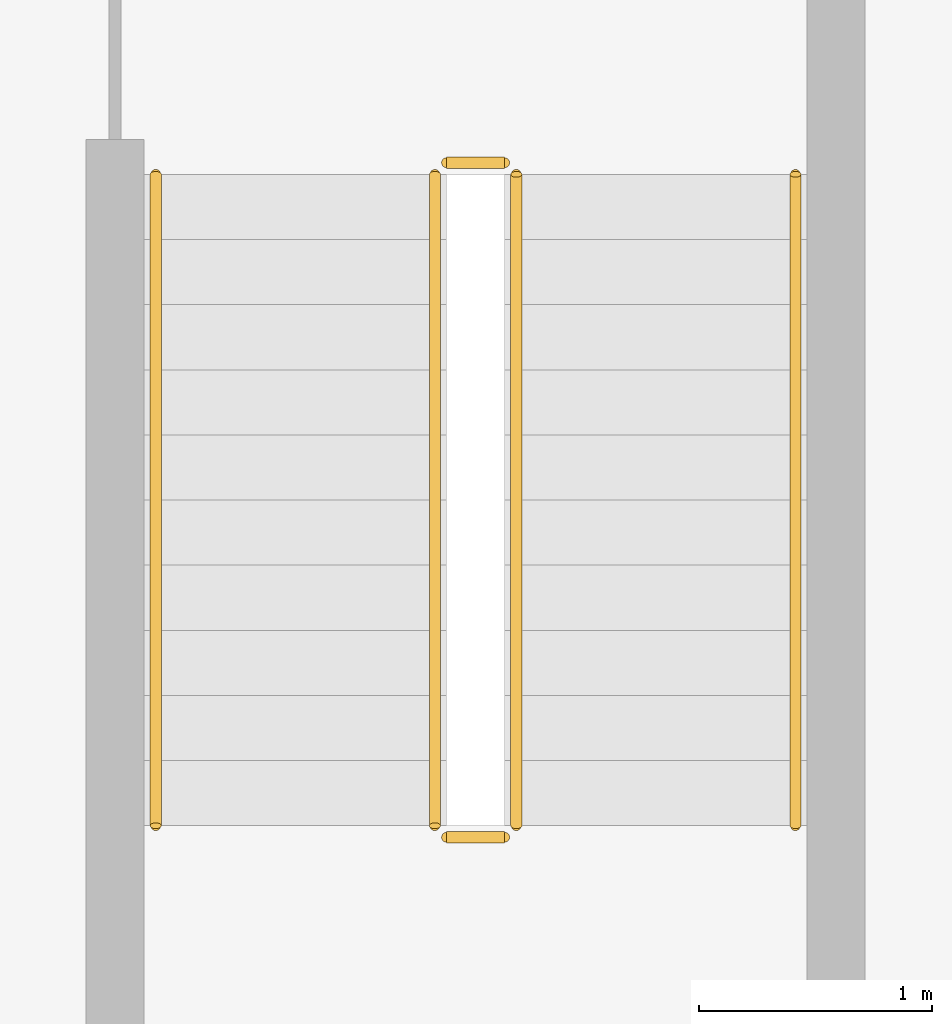
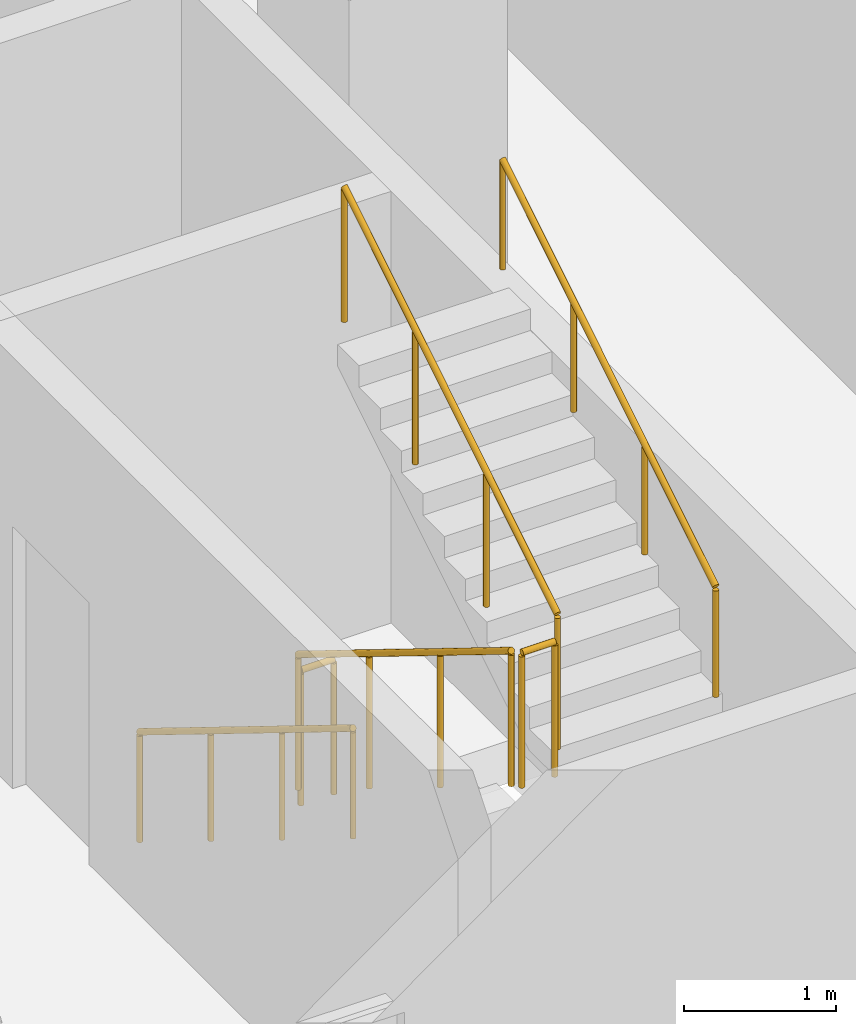
# One storey, part 23 of 27: 6 railings.
"""IFC4 building model written with IfcOpenShell, lengths in metres."""

from ifc_helpers import new_model, si_unit, direction, frame, origin, origin_2d, place, context, subcontext, project, spatial, circle, extrude, material, type_object, element, save


model = new_model("IFC4")

# Units and contexts
model_context = context("Model", 3, precision=1e-05, world=origin(), true_north=direction((0.0, 1.0)))
body_context = subcontext(model_context, "Body", "Model", "MODEL_VIEW")
ifc_project = project(units=[si_unit("LENGTHUNIT", "METRE"), si_unit("AREAUNIT", "SQUARE_METRE"), si_unit("VOLUMEUNIT", "CUBIC_METRE"), si_unit("PLANEANGLEUNIT", "RADIAN"), si_unit("MASSUNIT", "GRAM", prefix="KILO")], contexts=[model_context])

# Site, building, storey
site_placement = place(None, origin())
site = spatial("IfcSite", under=ifc_project, at=site_placement, CompositionType="ELEMENT")
building_placement = place(site_placement, origin())
building = spatial("IfcBuilding", under=site, at=building_placement, Name="Mahtab Terrace Research Tower", CompositionType="ELEMENT")
storey_placement = place(building_placement, frame((0.0, 0.0, 163.0)))
storey = spatial("IfcBuildingStorey", under=building, at=storey_placement, Name="L38", CompositionType="ELEMENT", Elevation=163.0)

# Railings
ifc_material = material(Name="Stainless steel AISI 304", Category="steel")
railing_type_1 = type_object("IfcRailingType", Name="Stair guard 1100", PredefinedType="GUARDRAIL", material=ifc_material)
railing_1_placement = place(storey_placement, frame((2.949951171875, -4.175048828125, 0.172607421875)))
element("IfcRailing", 1, at=railing_1_placement, inside=storey, type_object=railing_type_1, Name="L38 ST2 stair guard 1", PredefinedType="GUARDRAIL", context=body_context, shape_type="SweptSolid", body=[
    extrude(circle(Radius=0.02392578125, at=origin_2d()), frame((0.0, 0.0, 1.076171875), z_axis=(0.0, -0.851089632645, 0.525020415988), x_axis=(1.0, 0.0, 0.0)), (0.0, 0.0, 1.0), 3.2900390625),
    extrude(circle(Radius=0.02099609375, at=origin_2d()), origin(), (0.0, 0.0, 1.0), 1.052001953125),
    extrude(circle(Radius=0.02099609375, at=origin_2d()), frame((0.0, -0.933349609375, 0.57568359375)), (0.0, 0.0, 1.0), 1.052001953125),
    extrude(circle(Radius=0.02099609375, at=origin_2d()), frame((0.0, -1.86669921875, 1.151611328125)), (0.0, 0.0, 1.0), 1.052001953125),
    extrude(circle(Radius=0.02099609375, at=origin_2d()), frame((0.0, -2.800048828125, 1.727294921875)), (0.0, 0.0, 1.0), 1.052001953125),
])
railing_2_placement = place(storey_placement, frame((3.0, -7.02490234375, 1.89990234375)))
element("IfcRailing", 2, at=railing_2_placement, inside=storey, type_object=railing_type_1, Name="L38 ST2 stair guard 2", PredefinedType="GUARDRAIL", context=body_context, shape_type="SweptSolid", body=[
    extrude(circle(Radius=0.02392578125, at=origin_2d()), frame((0.0, 0.0, 1.076171875), z_axis=(1.0, 0.0, 0.0), x_axis=(0.0, 1.0, 0.0)), (0.0, 0.0, 1.0), 0.25),
    extrude(circle(Radius=0.02099609375, at=origin_2d()), origin(), (0.0, 0.0, 1.0), 1.052001953125),
    extrude(circle(Radius=0.02099609375, at=origin_2d()), frame((0.25, 0.0, 0.0)), (0.0, 0.0, 1.0), 1.052001953125),
])
railing_3_placement = place(storey_placement, frame((3.300048828125, -6.97509765625, 2.07275390625)))
element("IfcRailing", 3, at=railing_3_placement, inside=storey, type_object=railing_type_1, Name="L38 ST2 stair guard 3", PredefinedType="GUARDRAIL", context=body_context, shape_type="SweptSolid", body=[
    extrude(circle(Radius=0.02392578125, at=origin_2d()), frame((0.0, 0.0, 1.076171875), z_axis=(0.0, 0.851089632645, 0.525020415988), x_axis=(-1.0, 0.0, 0.0)), (0.0, 0.0, 1.0), 3.2900390625),
    extrude(circle(Radius=0.02099609375, at=origin_2d()), origin(), (0.0, 0.0, 1.0), 1.052001953125),
    extrude(circle(Radius=0.02099609375, at=origin_2d()), frame((0.0, 0.933349609375, 0.57568359375)), (0.0, 0.0, 1.0), 1.052001953125),
    extrude(circle(Radius=0.02099609375, at=origin_2d()), frame((0.0, 1.86669921875, 1.151611328125)), (0.0, 0.0, 1.0), 1.052001953125),
    extrude(circle(Radius=0.02099609375, at=origin_2d()), frame((0.0, 2.800048828125, 1.727294921875)), (0.0, 0.0, 1.0), 1.052001953125),
])
railing_4_placement = place(storey_placement, frame((3.0, -4.125, 0.0)))
element("IfcRailing", 4, at=railing_4_placement, inside=storey, type_object=railing_type_1, Name="L38 ST2 stair guard 4", PredefinedType="GUARDRAIL", context=body_context, shape_type="SweptSolid", body=[
    extrude(circle(Radius=0.02392578125, at=origin_2d()), frame((0.0, 0.0, 1.076171875), z_axis=(1.0, 0.0, 0.0), x_axis=(0.0, 1.0, 0.0)), (0.0, 0.0, 1.0), 0.25),
    extrude(circle(Radius=0.02099609375, at=origin_2d()), origin(), (0.0, 0.0, 1.0), 1.052001953125),
    extrude(circle(Radius=0.02099609375, at=origin_2d()), frame((0.25, 0.0, 0.0)), (0.0, 0.0, 1.0), 1.052001953125),
])
railing_type_2 = type_object("IfcRailingType", Name="Stair handrail 900", PredefinedType="HANDRAIL", material=ifc_material)
railing_5_placement = place(storey_placement, frame((1.75, -4.175048828125, 0.172607421875)))
element("IfcRailing", 5, at=railing_5_placement, inside=storey, type_object=railing_type_2, Name="L38 ST2 stair handrail 1", PredefinedType="HANDRAIL", context=body_context, shape_type="SweptSolid", body=[
    extrude(circle(Radius=0.02392578125, at=origin_2d()), frame((0.0, 0.0, 0.8759765625), z_axis=(0.0, -0.851089632645, 0.525020415988), x_axis=(1.0, 0.0, 0.0)), (0.0, 0.0, 1.0), 3.2900390625),
    extrude(circle(Radius=0.02099609375, at=origin_2d()), origin(), (0.0, 0.0, 1.0), 0.851806640625),
    extrude(circle(Radius=0.02099609375, at=origin_2d()), frame((0.0, -0.933349609375, 0.57568359375)), (0.0, 0.0, 1.0), 0.851806640625),
    extrude(circle(Radius=0.02099609375, at=origin_2d()), frame((0.0, -1.86669921875, 1.151611328125)), (0.0, 0.0, 1.0), 0.851806640625),
    extrude(circle(Radius=0.02099609375, at=origin_2d()), frame((0.0, -2.800048828125, 1.727294921875)), (0.0, 0.0, 1.0), 0.851806640625),
])
railing_6_placement = place(storey_placement, frame((4.5, -6.97509765625, 2.07275390625)))
element("IfcRailing", 6, at=railing_6_placement, inside=storey, type_object=railing_type_2, Name="L38 ST2 stair handrail 2", PredefinedType="HANDRAIL", context=body_context, shape_type="SweptSolid", body=[
    extrude(circle(Radius=0.02392578125, at=origin_2d()), frame((0.0, 0.0, 0.8759765625), z_axis=(0.0, 0.851089632645, 0.525020415988), x_axis=(-1.0, 0.0, 0.0)), (0.0, 0.0, 1.0), 3.2900390625),
    extrude(circle(Radius=0.02099609375, at=origin_2d()), origin(), (0.0, 0.0, 1.0), 0.851806640625),
    extrude(circle(Radius=0.02099609375, at=origin_2d()), frame((0.0, 0.933349609375, 0.57568359375)), (0.0, 0.0, 1.0), 0.851806640625),
    extrude(circle(Radius=0.02099609375, at=origin_2d()), frame((0.0, 1.86669921875, 1.151611328125)), (0.0, 0.0, 1.0), 0.851806640625),
    extrude(circle(Radius=0.02099609375, at=origin_2d()), frame((0.0, 2.800048828125, 1.727294921875)), (0.0, 0.0, 1.0), 0.851806640625),
])

save(model, "model.ifc")
